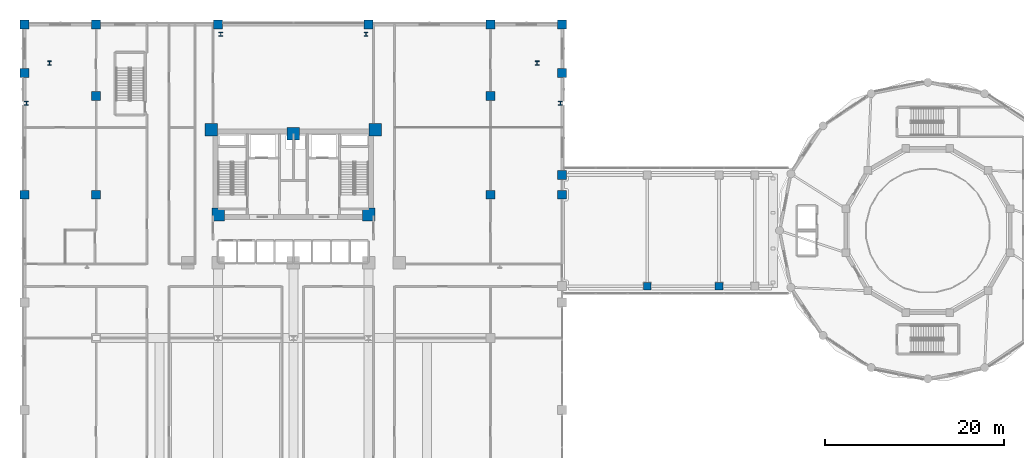
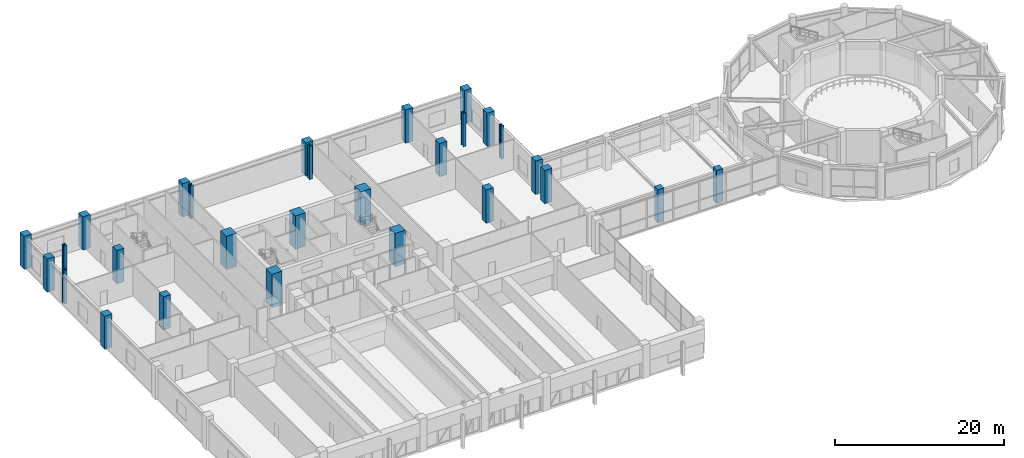
# One storey, part 3 of 44: 28 columns.
"""IFC4 building model written with IfcOpenShell, lengths in metres."""

from ifc_helpers import new_model, si_unit, derived_unit, direction, frame, origin, origin_2d, place, context, subcontext, project, spatial, rectangle, i_section, extrude, source, transform, mapped, material, material_profile, profile_set, type_object, element, save


model = new_model("IFC4")

# Units and contexts
model_context = context("Model", 3, precision=1e-05, world=origin(), true_north=direction((0.0, 1.0)))
body_context = subcontext(model_context, "Body", "Model", "MODEL_VIEW")
ifc_project = project(units=[si_unit("LENGTHUNIT", "METRE"), si_unit("AREAUNIT", "SQUARE_METRE"), si_unit("VOLUMEUNIT", "CUBIC_METRE"), si_unit("PLANEANGLEUNIT", "RADIAN"), si_unit("MASSUNIT", "GRAM", prefix="KILO"), derived_unit("THERMALTRANSMITTANCEUNIT", [(si_unit("POWERUNIT", "WATT"), 1), (si_unit("LENGTHUNIT", "METRE"), -2), (si_unit("THERMODYNAMICTEMPERATUREUNIT", "KELVIN"), -1)])], contexts=[model_context])

# Site, building, storey
site_placement = place(None, origin())
site = spatial("IfcSite", under=ifc_project, at=site_placement, CompositionType="ELEMENT")
building_placement = place(site_placement, origin())
building = spatial("IfcBuilding", under=site, at=building_placement, Name="Korsvarv Bourse and Concert Hall", CompositionType="ELEMENT")
storey_placement = place(building_placement, frame((0.0, 0.0, 9.60009765625)))
storey = spatial("IfcBuildingStorey", under=building, at=storey_placement, Name="L02", CompositionType="ELEMENT", Elevation=9.60009765625)

# Columns
ifc_material_1 = material(Name="Concrete C60/75", Category="concrete")
ifc_material_profile_1 = material_profile(ifc_material_1, rectangle(XDim=1.39990234375, YDim=1.39990234375, at=origin_2d()), Name="RC 1400x1400")
ifc_profile_set_1 = profile_set([ifc_material_profile_1], Name="Concrete C60/75")
column_type_1 = type_object("IfcColumnType", Name="COL-RC1400", PredefinedType="COLUMN", material=ifc_profile_set_1)
shared_shape_1 = source(origin(), body_context, "Body", "SweptSolid", [
    extrude(rectangle(XDim=1.39990234375, YDim=1.39990234375, at=origin_2d()), origin(), (0.0, 0.0, 1.0), 4.7998046875),
])
for number, where, z_axis, x_axis, name in (
    (1, (26.85009765625, 47.25, 0.0), (0.0, 0.0, 1.0), (1.0, 0.0, 0.0), "L02 column C-01"),
    (2, (45.14990234375, 47.25, 0.0), (0.0, 0.0, 1.0), (1.0, 0.0, 0.0), "L02 column C-01"),
    (3, (27.60009765625, 37.800048828125, 0.0), (0.0, 0.0, 1.0), (1.0, 0.0, 0.0), "L02 column C-01"),
    (4, (44.39990234375, 37.800048828125, 0.0), (0.0, 0.0, 1.0), (1.0, 0.0, 0.0), "L02 column C-01"),
    (5, (36.0, 46.800048828125, 0.0), (0.0, 0.0, 1.0), (1.0, 0.0, 0.0), "L02 column C-01"),
):
    element("IfcColumn", number, at=place(storey_placement, frame(where, z_axis=z_axis, x_axis=x_axis)), inside=storey, type_object=column_type_1, Name=name, PredefinedType="COLUMN", context=body_context, shape_type="MappedRepresentation", body=[
        mapped(shared_shape_1, transform((0.0, 0.0, 0.0), scale=1.0)),
    ])
ifc_material_2 = material(Name="Steel S460", Category="steel")
ifc_material_profile_2 = material_profile(ifc_material_2, i_section(OverallWidth=0.424072265625, OverallDepth=0.47412109375, WebThickness=0.044921875, FlangeThickness=0.072021484375, FilletRadius=0.014892578125, at=origin_2d()), Name="HD 400x634")
ifc_profile_set_2 = profile_set([ifc_material_profile_2], Name="Steel S460")
column_type_2 = type_object("IfcColumnType", Name="COL-HD634", PredefinedType="COLUMN", material=ifc_profile_set_2)
shared_shape_2 = source(origin(), body_context, "Body", "SweptSolid", [
    extrude(i_section(OverallWidth=0.424072265625, OverallDepth=0.47412109375, WebThickness=0.044921875, FlangeThickness=0.072021484375, FilletRadius=0.014892578125, at=origin_2d()), origin(), (0.0, 0.0, 1.0), 4.7998046875),
])
for number, where, z_axis, x_axis, name in (
    (6, (65.78857421875, 50.21728515625, 0.0), (0.0, 0.0, 1.0), (1.0, 0.0, 0.0), "L02 column C-07"),
    (7, (63.206787109375, 54.689208984375, 0.0), (0.0, 0.0, 1.0), (1.0, 0.0, 0.0), "L02 column C-07"),
    (8, (44.097412109375, 57.9169921875, 0.0), (0.0, 0.0, 1.0), (1.0, 0.0, 0.0), "L02 column C-07"),
    (9, (27.902587890625, 57.9169921875, 0.0), (0.0, 0.0, 1.0), (1.0, 0.0, 0.0), "L02 column C-07"),
    (10, (8.793212890625, 54.689208984375, 0.0), (0.0, 0.0, 1.0), (1.0, 0.0, 0.0), "L02 column C-07"),
    (11, (6.21142578125, 50.21728515625, 0.0), (0.0, 0.0, 1.0), (1.0, 0.0, 0.0), "L02 column C-07"),
):
    element("IfcColumn", number, at=place(storey_placement, frame(where, z_axis=z_axis, x_axis=x_axis)), inside=storey, type_object=column_type_2, Name=name, PredefinedType="COLUMN", context=body_context, shape_type="MappedRepresentation", body=[
        mapped(shared_shape_2, transform((0.0, 0.0, 0.0), scale=1.0)),
    ])
ifc_material_3 = material(Name="Concrete C55/67", Category="concrete")
ifc_material_profile_3 = material_profile(ifc_material_3, rectangle(XDim=1.0, YDim=1.0, at=origin_2d()), Name="RC 1000x1000")
ifc_profile_set_3 = profile_set([ifc_material_profile_3], Name="Concrete C55/67")
column_type_3 = type_object("IfcColumnType", Name="COL-RC1000", PredefinedType="COLUMN", material=ifc_profile_set_3)
shared_shape_3 = source(origin(), body_context, "Body", "SweptSolid", [
    extrude(rectangle(XDim=1.0, YDim=1.0, at=origin_2d()), origin(), (0.0, 0.0, 1.0), 4.7998046875),
])
for number, where, z_axis, x_axis, name in (
    (12, (6.0, 40.0, 0.0), (0.0, 0.0, 1.0), (1.0, 0.0, 0.0), "L02 column C-03"),
    (13, (6.0, 53.60009765625, 0.0), (0.0, 0.0, 1.0), (1.0, 0.0, 0.0), "L02 column C-03"),
    (14, (6.0, 59.0, 0.0), (0.0, 0.0, 1.0), (1.0, 0.0, 0.0), "L02 column C-03"),
    (15, (66.0, 40.0, 0.0), (0.0, 0.0, 1.0), (1.0, 0.0, 0.0), "L02 column C-03"),
    (16, (66.0, 53.60009765625, 0.0), (0.0, 0.0, 1.0), (1.0, 0.0, 0.0), "L02 column C-03"),
    (17, (66.0, 59.0, 0.0), (0.0, 0.0, 1.0), (1.0, 0.0, 0.0), "L02 column C-03"),
    (18, (14.0, 59.0, 0.0), (0.0, 0.0, 1.0), (1.0, 0.0, 0.0), "L02 column C-03"),
    (19, (27.60009765625, 59.0, 0.0), (0.0, 0.0, 1.0), (1.0, 0.0, 0.0), "L02 column C-03"),
    (20, (44.39990234375, 59.0, 0.0), (0.0, 0.0, 1.0), (1.0, 0.0, 0.0), "L02 column C-03"),
    (21, (58.0, 59.0, 0.0), (0.0, 0.0, 1.0), (1.0, 0.0, 0.0), "L02 column C-03"),
    (22, (14.0, 40.0, 0.0), (0.0, 0.0, 1.0), (1.0, 0.0, 0.0), "L02 column C-03"),
    (23, (58.0, 40.0, 0.0), (0.0, 0.0, 1.0), (1.0, 0.0, 0.0), "L02 column C-03"),
    (24, (14.0, 51.0, 0.0), (0.0, 0.0, 1.0), (1.0, 0.0, 0.0), "L02 column C-03"),
    (25, (58.0, 51.0, 0.0), (0.0, 0.0, 1.0), (1.0, 0.0, 0.0), "L02 column C-03"),
    (26, (66.0, 42.199951171875, 0.0), (0.0, 0.0, 1.0), (1.0, 0.0, 0.0), "L02 column C-03"),
):
    element("IfcColumn", number, at=place(storey_placement, frame(where, z_axis=z_axis, x_axis=x_axis)), inside=storey, type_object=column_type_3, Name=name, PredefinedType="COLUMN", context=body_context, shape_type="MappedRepresentation", body=[
        mapped(shared_shape_3, transform((0.0, 0.0, 0.0), scale=1.0)),
    ])
ifc_material_4 = material(Name="Concrete C50/60", Category="concrete")
ifc_material_profile_4 = material_profile(ifc_material_4, rectangle(XDim=0.85009765625, YDim=0.85009765625, at=origin_2d()), Name="RC 850x850")
ifc_profile_set_4 = profile_set([ifc_material_profile_4], Name="Concrete C50/60")
column_type_4 = type_object("IfcColumnType", Name="COL-RC850", PredefinedType="COLUMN", material=ifc_profile_set_4)
shared_shape_4 = source(origin(), body_context, "Body", "SweptSolid", [
    extrude(rectangle(XDim=0.85009765625, YDim=0.85009765625, at=origin_2d()), origin(), (0.0, 0.0, 1.0), 4.7998046875),
])
for number, where, z_axis, x_axis, name in (
    (27, (75.5, 29.800048828125, 0.0), (0.0, 0.0, 1.0), (1.0, 0.0, 0.0), "L02 column C-04"),
    (28, (83.5, 29.800048828125, 0.0), (0.0, 0.0, 1.0), (1.0, 0.0, 0.0), "L02 column C-04"),
):
    element("IfcColumn", number, at=place(storey_placement, frame(where, z_axis=z_axis, x_axis=x_axis)), inside=storey, type_object=column_type_4, Name=name, PredefinedType="COLUMN", context=body_context, shape_type="MappedRepresentation", body=[
        mapped(shared_shape_4, transform((0.0, 0.0, 0.0), scale=1.0)),
    ])

save(model, "model.ifc")
